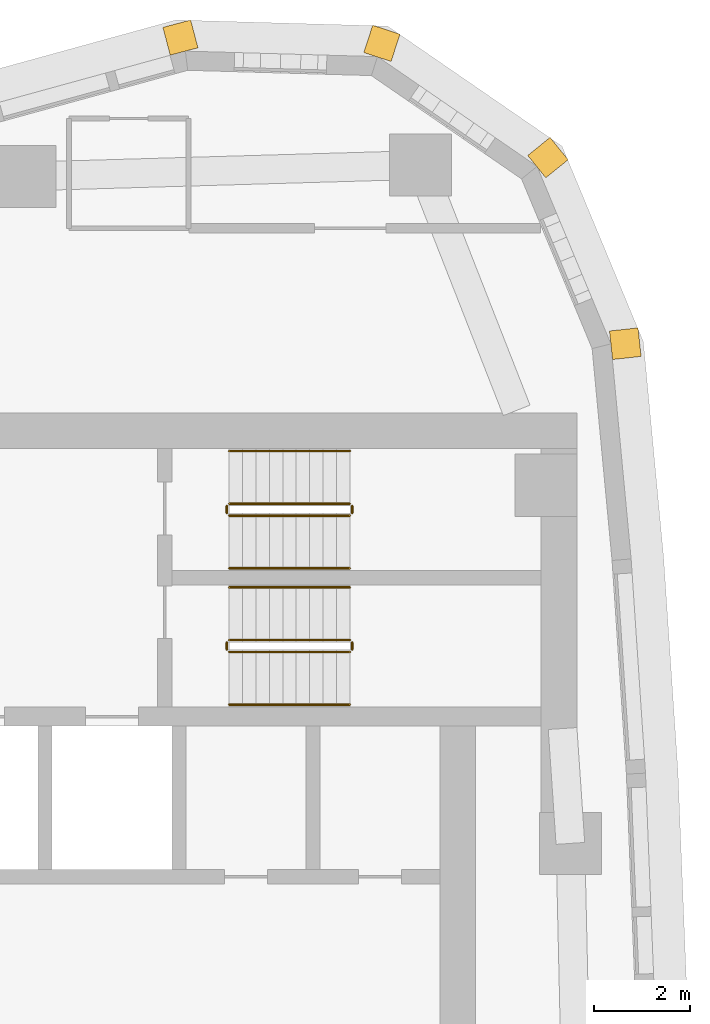
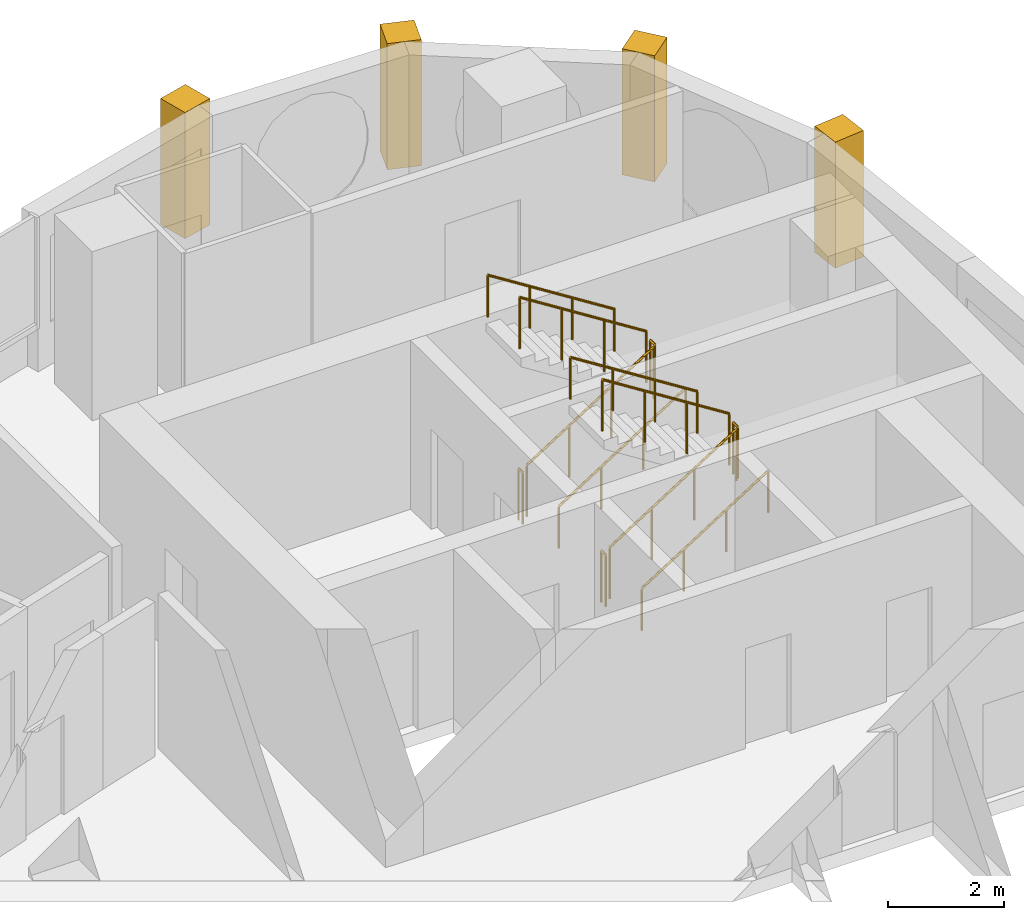
# One storey, part 17 of 17: 12 railings, 4 coverings.
"""IFC4 building model written with IfcOpenShell, lengths in metres."""

from ifc_helpers import new_model, si_unit, direction, frame, frame_2d, origin, origin_2d, place, context, subcontext, project, spatial, rectangle, circle, extrude, material, layer, layer_set, type_object, element, save


model = new_model("IFC4")

# Units and contexts
model_context = context("Model", 3, precision=1e-05, world=origin(), true_north=direction((0.0, 1.0)))
body_context = subcontext(model_context, "Body", "Model", "MODEL_VIEW")
ifc_project = project(units=[si_unit("LENGTHUNIT", "METRE"), si_unit("AREAUNIT", "SQUARE_METRE"), si_unit("VOLUMEUNIT", "CUBIC_METRE"), si_unit("PLANEANGLEUNIT", "RADIAN"), si_unit("MASSUNIT", "GRAM", prefix="KILO")], contexts=[model_context])

# Site, building, storey
site_placement = place(None, origin())
site = spatial("IfcSite", under=ifc_project, at=site_placement, CompositionType="ELEMENT")
building_placement = place(site_placement, origin())
building = spatial("IfcBuilding", under=site, at=building_placement, Name="Ostrand Prow Hotel Tower", CompositionType="ELEMENT")
storey_placement = place(building_placement, frame((0.0, 0.0, 196.800048828125)))
storey = spatial("IfcBuildingStorey", under=building, at=storey_placement, Name="L49", CompositionType="ELEMENT", Elevation=196.800048828125)

# Coverings
ifc_material_1 = material(Name="Limestone cladding", Category="masonry")
ifc_layer = layer(ifc_material_1, 0.60009765625)
ifc_layer_set = layer_set([ifc_layer], Name="Limestone cladding")
covering_type = type_object("IfcCoveringType", Name="Precast stone prow rib 600x600", PredefinedType="CLADDING", material=ifc_layer_set)
for number, where, z_axis, x_axis, name in (
    (1, (65.18017578125, 17.9111328125, 0.599853515625), (0.0, 0.0, 1.0), (0.994255138911, 0.107036062846, 0.0), "Stone corner rib 13a"),
    (2, (63.6279296875, 21.643798828125, 0.599853515625), (0.0, 0.0, 1.0), (0.776922530767, 0.62959620487, 0.0), "Stone corner rib 14a"),
    (3, (60.297607421875, 23.935302734375, 0.599853515625), (0.0, 0.0, 1.0), (0.310484329644, 0.950578498098, 0.0), "Stone corner rib 15a"),
    (4, (56.256591796875, 24.05126953125, 0.599853515625), (0.0, 0.0, 1.0), (-0.255154261231, 0.966900358349, 0.0), "Stone corner rib 15b"),
):
    element("IfcCovering", number, at=place(storey_placement, frame(where, z_axis=z_axis, x_axis=x_axis)), inside=storey, type_object=covering_type, Name=name, PredefinedType="CLADDING", context=body_context, shape_type="SweptSolid", body=[
        extrude(rectangle(XDim=0.599853515625, YDim=0.60009765625, at=frame_2d((0.2998046875, 0.0))), origin(), (0.0, 0.0, 1.0), 2.650146484375),
    ])

# Railings
ifc_material_2 = material(Name="Painted steel", Category="steel")
railing_type_1 = type_object("IfcRailingType", Name="Stair guard 1100", PredefinedType="GUARDRAIL", material=ifc_material_2)
railing_1_placement = place(storey_placement, frame((57.199951171875, 11.5, 0.177490234375)))
element("IfcRailing", 5, at=railing_1_placement, inside=storey, type_object=railing_type_1, Name="L49 ST1C stair guard 1", PredefinedType="GUARDRAIL", context=body_context, shape_type="SweptSolid", body=[
    extrude(circle(Radius=0.02392578125, at=origin_2d()), frame((0.0, 0.0, 1.076171875), z_axis=(0.84460694969, 0.0, 0.535386869969), x_axis=(0.0, 1.0, 0.0)), (0.0, 0.0, 1.0), 2.983642578125),
    extrude(circle(Radius=0.02099609375, at=origin_2d()), origin(), (0.0, 0.0, 1.0), 1.052001953125),
    extrude(circle(Radius=0.02099609375, at=origin_2d()), frame((0.840087890625, 0.0, 0.532470703125)), (0.0, 0.0, 1.0), 1.052001953125),
    extrude(circle(Radius=0.02099609375, at=origin_2d()), frame((1.679931640625, 0.0, 1.06494140625)), (0.0, 0.0, 1.0), 1.052001953125),
    extrude(circle(Radius=0.02099609375, at=origin_2d()), frame((2.52001953125, 0.0, 1.597412109375)), (0.0, 0.0, 1.0), 1.052001953125),
])
railing_2_placement = place(storey_placement, frame((59.77001953125, 11.550048828125, 1.77490234375)))
element("IfcRailing", 6, at=railing_2_placement, inside=storey, type_object=railing_type_1, Name="L49 ST1C stair guard 2", PredefinedType="GUARDRAIL", context=body_context, shape_type="SweptSolid", body=[
    extrude(circle(Radius=0.02392578125, at=origin_2d()), frame((0.0, 0.0, 1.076171875), z_axis=(0.0, 1.0, 0.0), x_axis=(-1.0, 0.0, 0.0)), (0.0, 0.0, 1.0), 0.14990234375),
    extrude(circle(Radius=0.02099609375, at=origin_2d()), origin(), (0.0, 0.0, 1.0), 1.052001953125),
    extrude(circle(Radius=0.02099609375, at=origin_2d()), frame((0.0, 0.14990234375, 0.0)), (0.0, 0.0, 1.0), 1.052001953125),
])
railing_3_placement = place(storey_placement, frame((59.719970703125, 11.75, 1.952392578125)))
element("IfcRailing", 7, at=railing_3_placement, inside=storey, type_object=railing_type_1, Name="L49 ST1C stair guard 3", PredefinedType="GUARDRAIL", context=body_context, shape_type="SweptSolid", body=[
    extrude(circle(Radius=0.02392578125, at=origin_2d()), frame((0.0, 0.0, 1.076171875), z_axis=(-0.84456994832, 0.0, 0.535445237532), x_axis=(0.0, -1.0, 0.0)), (0.0, 0.0, 1.0), 2.98388671875),
    extrude(circle(Radius=0.02099609375, at=origin_2d()), origin(), (0.0, 0.0, 1.0), 1.052001953125),
    extrude(circle(Radius=0.02099609375, at=origin_2d()), frame((-0.840087890625, 0.0, 0.532470703125)), (0.0, 0.0, 1.0), 1.052001953125),
    extrude(circle(Radius=0.02099609375, at=origin_2d()), frame((-1.679931640625, 0.0, 1.065185546875)), (0.0, 0.0, 1.0), 1.052001953125),
    extrude(circle(Radius=0.02099609375, at=origin_2d()), frame((-2.52001953125, 0.0, 1.59765625)), (0.0, 0.0, 1.0), 1.052001953125),
])
railing_4_placement = place(storey_placement, frame((57.14990234375, 11.550048828125, 0.0)))
element("IfcRailing", 8, at=railing_4_placement, inside=storey, type_object=railing_type_1, Name="L49 ST1C stair guard 4", PredefinedType="GUARDRAIL", context=body_context, shape_type="SweptSolid", body=[
    extrude(circle(Radius=0.02392578125, at=origin_2d()), frame((0.0, 0.0, 1.076171875), z_axis=(0.0, 1.0, 0.0), x_axis=(-1.0, 0.0, 0.0)), (0.0, 0.0, 1.0), 0.14990234375),
    extrude(circle(Radius=0.02099609375, at=origin_2d()), origin(), (0.0, 0.0, 1.0), 1.052001953125),
    extrude(circle(Radius=0.02099609375, at=origin_2d()), frame((0.0, 0.14990234375, 0.0)), (0.0, 0.0, 1.0), 1.052001953125),
])
railing_5_placement = place(storey_placement, frame((57.199951171875, 14.35009765625, 0.177490234375)))
element("IfcRailing", 9, at=railing_5_placement, inside=storey, type_object=railing_type_1, Name="L49 ST3C stair guard 1", PredefinedType="GUARDRAIL", context=body_context, shape_type="SweptSolid", body=[
    extrude(circle(Radius=0.02392578125, at=origin_2d()), frame((0.0, 0.0, 1.076171875), z_axis=(0.84460694969, 0.0, 0.535386869969), x_axis=(0.0, 1.0, 0.0)), (0.0, 0.0, 1.0), 2.983642578125),
    extrude(circle(Radius=0.02099609375, at=origin_2d()), origin(), (0.0, 0.0, 1.0), 1.052001953125),
    extrude(circle(Radius=0.02099609375, at=origin_2d()), frame((0.840087890625, 0.0, 0.532470703125)), (0.0, 0.0, 1.0), 1.052001953125),
    extrude(circle(Radius=0.02099609375, at=origin_2d()), frame((1.679931640625, 0.0, 1.06494140625)), (0.0, 0.0, 1.0), 1.052001953125),
    extrude(circle(Radius=0.02099609375, at=origin_2d()), frame((2.52001953125, 0.0, 1.597412109375)), (0.0, 0.0, 1.0), 1.052001953125),
])
railing_6_placement = place(storey_placement, frame((59.77001953125, 14.39990234375, 1.77490234375)))
element("IfcRailing", 10, at=railing_6_placement, inside=storey, type_object=railing_type_1, Name="L49 ST3C stair guard 2", PredefinedType="GUARDRAIL", context=body_context, shape_type="SweptSolid", body=[
    extrude(circle(Radius=0.02392578125, at=origin_2d()), frame((0.0, 0.0, 1.076171875), z_axis=(0.0, 1.0, 0.0), x_axis=(-1.0, 0.0, 0.0)), (0.0, 0.0, 1.0), 0.150146484375),
    extrude(circle(Radius=0.02099609375, at=origin_2d()), origin(), (0.0, 0.0, 1.0), 1.052001953125),
    extrude(circle(Radius=0.02099609375, at=origin_2d()), frame((0.0, 0.150146484375, 0.0)), (0.0, 0.0, 1.0), 1.052001953125),
])
railing_7_placement = place(storey_placement, frame((59.719970703125, 14.60009765625, 1.952392578125)))
element("IfcRailing", 11, at=railing_7_placement, inside=storey, type_object=railing_type_1, Name="L49 ST3C stair guard 3", PredefinedType="GUARDRAIL", context=body_context, shape_type="SweptSolid", body=[
    extrude(circle(Radius=0.02392578125, at=origin_2d()), frame((0.0, 0.0, 1.076171875), z_axis=(-0.84456994832, 0.0, 0.535445237532), x_axis=(0.0, -1.0, 0.0)), (0.0, 0.0, 1.0), 2.98388671875),
    extrude(circle(Radius=0.02099609375, at=origin_2d()), origin(), (0.0, 0.0, 1.0), 1.052001953125),
    extrude(circle(Radius=0.02099609375, at=origin_2d()), frame((-0.840087890625, 0.0, 0.532470703125)), (0.0, 0.0, 1.0), 1.052001953125),
    extrude(circle(Radius=0.02099609375, at=origin_2d()), frame((-1.679931640625, 0.0, 1.065185546875)), (0.0, 0.0, 1.0), 1.052001953125),
    extrude(circle(Radius=0.02099609375, at=origin_2d()), frame((-2.52001953125, 0.0, 1.59765625)), (0.0, 0.0, 1.0), 1.052001953125),
])
railing_8_placement = place(storey_placement, frame((57.14990234375, 14.39990234375, 0.0)))
element("IfcRailing", 12, at=railing_8_placement, inside=storey, type_object=railing_type_1, Name="L49 ST3C stair guard 4", PredefinedType="GUARDRAIL", context=body_context, shape_type="SweptSolid", body=[
    extrude(circle(Radius=0.02392578125, at=origin_2d()), frame((0.0, 0.0, 1.076171875), z_axis=(0.0, 1.0, 0.0), x_axis=(-1.0, 0.0, 0.0)), (0.0, 0.0, 1.0), 0.150146484375),
    extrude(circle(Radius=0.02099609375, at=origin_2d()), origin(), (0.0, 0.0, 1.0), 1.052001953125),
    extrude(circle(Radius=0.02099609375, at=origin_2d()), frame((0.0, 0.150146484375, 0.0)), (0.0, 0.0, 1.0), 1.052001953125),
])
ifc_material_3 = material(Name="Stainless steel", Category="steel")
railing_type_2 = type_object("IfcRailingType", Name="Stair handrail 900", PredefinedType="HANDRAIL", material=ifc_material_3)
railing_9_placement = place(storey_placement, frame((57.199951171875, 10.39990234375, 0.177490234375)))
element("IfcRailing", 13, at=railing_9_placement, inside=storey, type_object=railing_type_2, Name="L49 ST1C stair handrail 1", PredefinedType="HANDRAIL", context=body_context, shape_type="SweptSolid", body=[
    extrude(circle(Radius=0.02392578125, at=origin_2d()), frame((0.0, 0.0, 0.8759765625), z_axis=(0.84460694969, 0.0, 0.535386869969), x_axis=(0.0, 1.0, 0.0)), (0.0, 0.0, 1.0), 2.983642578125),
    extrude(circle(Radius=0.02099609375, at=origin_2d()), origin(), (0.0, 0.0, 1.0), 0.851806640625),
    extrude(circle(Radius=0.02099609375, at=origin_2d()), frame((0.840087890625, 0.0, 0.532470703125)), (0.0, 0.0, 1.0), 0.851806640625),
    extrude(circle(Radius=0.02099609375, at=origin_2d()), frame((1.679931640625, 0.0, 1.06494140625)), (0.0, 0.0, 1.0), 0.851806640625),
    extrude(circle(Radius=0.02099609375, at=origin_2d()), frame((2.52001953125, 0.0, 1.597412109375)), (0.0, 0.0, 1.0), 0.851806640625),
])
railing_10_placement = place(storey_placement, frame((59.719970703125, 12.85009765625, 1.952392578125)))
element("IfcRailing", 14, at=railing_10_placement, inside=storey, type_object=railing_type_2, Name="L49 ST1C stair handrail 2", PredefinedType="HANDRAIL", context=body_context, shape_type="SweptSolid", body=[
    extrude(circle(Radius=0.02392578125, at=origin_2d()), frame((0.0, 0.0, 0.8759765625), z_axis=(-0.84456994832, 0.0, 0.535445237532), x_axis=(0.0, -1.0, 0.0)), (0.0, 0.0, 1.0), 2.98388671875),
    extrude(circle(Radius=0.02099609375, at=origin_2d()), origin(), (0.0, 0.0, 1.0), 0.851806640625),
    extrude(circle(Radius=0.02099609375, at=origin_2d()), frame((-0.840087890625, 0.0, 0.532470703125)), (0.0, 0.0, 1.0), 0.851806640625),
    extrude(circle(Radius=0.02099609375, at=origin_2d()), frame((-1.679931640625, 0.0, 1.065185546875)), (0.0, 0.0, 1.0), 0.851806640625),
    extrude(circle(Radius=0.02099609375, at=origin_2d()), frame((-2.52001953125, 0.0, 1.59765625)), (0.0, 0.0, 1.0), 0.851806640625),
])
railing_11_placement = place(storey_placement, frame((57.199951171875, 13.25, 0.177490234375)))
element("IfcRailing", 15, at=railing_11_placement, inside=storey, type_object=railing_type_2, Name="L49 ST3C stair handrail 1", PredefinedType="HANDRAIL", context=body_context, shape_type="SweptSolid", body=[
    extrude(circle(Radius=0.02392578125, at=origin_2d()), frame((0.0, 0.0, 0.8759765625), z_axis=(0.84460694969, 0.0, 0.535386869969), x_axis=(0.0, 1.0, 0.0)), (0.0, 0.0, 1.0), 2.983642578125),
    extrude(circle(Radius=0.02099609375, at=origin_2d()), origin(), (0.0, 0.0, 1.0), 0.851806640625),
    extrude(circle(Radius=0.02099609375, at=origin_2d()), frame((0.840087890625, 0.0, 0.532470703125)), (0.0, 0.0, 1.0), 0.851806640625),
    extrude(circle(Radius=0.02099609375, at=origin_2d()), frame((1.679931640625, 0.0, 1.06494140625)), (0.0, 0.0, 1.0), 0.851806640625),
    extrude(circle(Radius=0.02099609375, at=origin_2d()), frame((2.52001953125, 0.0, 1.597412109375)), (0.0, 0.0, 1.0), 0.851806640625),
])
railing_12_placement = place(storey_placement, frame((59.719970703125, 15.699951171875, 1.952392578125)))
element("IfcRailing", 16, at=railing_12_placement, inside=storey, type_object=railing_type_2, Name="L49 ST3C stair handrail 2", PredefinedType="HANDRAIL", context=body_context, shape_type="SweptSolid", body=[
    extrude(circle(Radius=0.02392578125, at=origin_2d()), frame((0.0, 0.0, 0.8759765625), z_axis=(-0.84456994832, 0.0, 0.535445237532), x_axis=(0.0, -1.0, 0.0)), (0.0, 0.0, 1.0), 2.98388671875),
    extrude(circle(Radius=0.02099609375, at=origin_2d()), origin(), (0.0, 0.0, 1.0), 0.851806640625),
    extrude(circle(Radius=0.02099609375, at=origin_2d()), frame((-0.840087890625, 0.0, 0.532470703125)), (0.0, 0.0, 1.0), 0.851806640625),
    extrude(circle(Radius=0.02099609375, at=origin_2d()), frame((-1.679931640625, 0.0, 1.065185546875)), (0.0, 0.0, 1.0), 0.851806640625),
    extrude(circle(Radius=0.02099609375, at=origin_2d()), frame((-2.52001953125, 0.0, 1.59765625)), (0.0, 0.0, 1.0), 0.851806640625),
])

save(model, "model.ifc")
